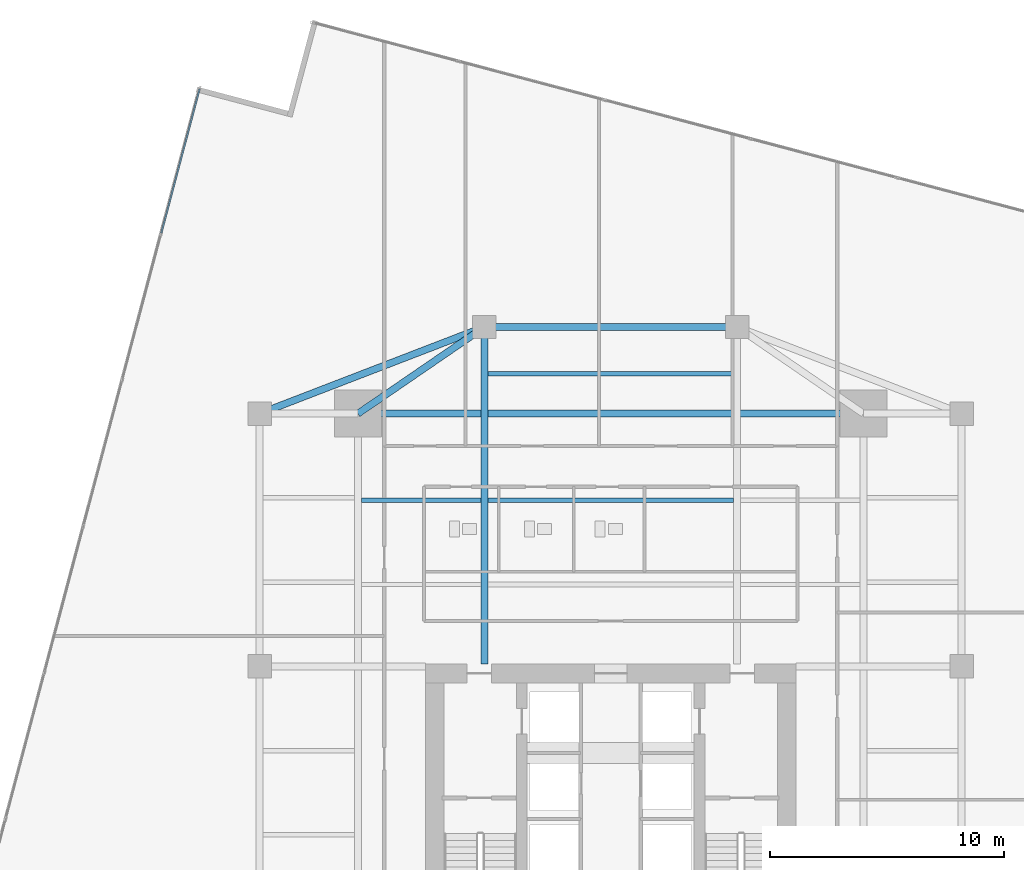
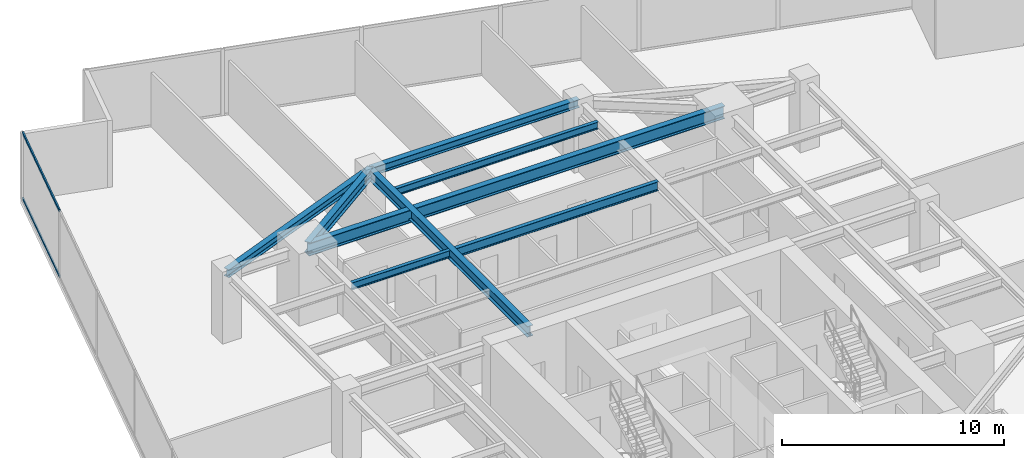
# One storey, part 16 of 27: 8 beams, 2 members, 1 element without a shape of its own.
"""IFC4 building model written with IfcOpenShell, lengths in metres."""

from ifc_helpers import new_model, si_unit, direction, frame, origin, origin_2d, place, context, subcontext, project, spatial, hollow_rectangle, i_section, extrude, source, transform, mapped, material, material_profile, profile_set, type_object, type_shapes, element, aggregate, save


model = new_model("IFC4")

# Units and contexts
model_context = context("Model", 3, precision=1e-05, world=origin(), true_north=direction((0.0, 1.0)))
body_context = subcontext(model_context, "Body", "Model", "MODEL_VIEW")
ifc_project = project(units=[si_unit("LENGTHUNIT", "METRE"), si_unit("AREAUNIT", "SQUARE_METRE"), si_unit("VOLUMEUNIT", "CUBIC_METRE"), si_unit("PLANEANGLEUNIT", "RADIAN"), si_unit("MASSUNIT", "GRAM", prefix="KILO")], contexts=[model_context])

# Site, building, storey
site_placement = place(None, origin())
site = spatial("IfcSite", under=ifc_project, at=site_placement, CompositionType="ELEMENT")
building_placement = place(site_placement, origin())
building = spatial("IfcBuilding", under=site, at=building_placement, Name="Krantzveldt Concourse Tower", CompositionType="ELEMENT")
storey_placement = place(building_placement, frame((0.0, 0.0, 97.949951171875)))
storey = spatial("IfcBuildingStorey", under=building, at=storey_placement, Name="L23", CompositionType="ELEMENT", Elevation=97.949951171875)

# Beams
ifc_material_1 = material(Name="Steel S355J2", Category="steel")
ifc_material_profile_1 = material_profile(ifc_material_1, i_section(OverallWidth=0.300048828125, OverallDepth=0.699951171875, WebThickness=0.01708984375, FlangeThickness=0.031982421875, FilletRadius=0.027099609375, at=origin_2d()), Name="Steel S355J2", Category="steel")
ifc_profile_set_1 = profile_set([ifc_material_profile_1], Name="Steel S355J2 - HEB 700")
beam_type_1 = type_object("IfcBeamType", Name="BM-B-HEB700", PredefinedType="BEAM", material=ifc_profile_set_1)
shared_shape_1 = source(origin(), body_context, "Body", "SweptSolid", [
    extrude(i_section(OverallWidth=0.300048828125, OverallDepth=0.699951171875, WebThickness=0.01708984375, FlangeThickness=0.031982421875, FilletRadius=0.027099609375, at=origin_2d()), origin(), (0.0, 0.0, 1.0), 21.60009765625),
])
type_shapes(beam_type_1, [shared_shape_1])
beam_1_placement = place(storey_placement, frame((25.199951171875, 37.5, 3.320068359375), z_axis=(1.0, 0.0, 0.0), x_axis=(0.0, 1.0, 0.0)))
element("IfcBeam", 1, at=beam_1_placement, inside=storey, type_object=beam_type_1, Name="L23 Tower Girder BG-MN", PredefinedType="BEAM", context=body_context, shape_type="MappedRepresentation", body=[
    mapped(shared_shape_1, transform((0.0, 0.0, 0.0), x_axis=(1.0, 0.0, 0.0), y_axis=(0.0, 1.0, 0.0), z_axis=(0.0, 0.0, 1.0), scale=1.0)),
])
ifc_material_2 = material(Name="Steel S355JR", Category="steel")
ifc_material_profile_2 = material_profile(ifc_material_2, i_section(OverallWidth=0.300048828125, OverallDepth=0.590087890625, WebThickness=0.012939453125, FlangeThickness=0.02490234375, FilletRadius=0.027099609375, at=origin_2d()), Name="Steel S355JR", Category="steel")
ifc_profile_set_2 = profile_set([ifc_material_profile_2], Name="Steel S355JR - HEA 600")
beam_type_2 = type_object("IfcBeamType", Name="BM-B-HEA600", PredefinedType="BEAM", material=ifc_profile_set_2)
shared_shape_2 = source(origin(), body_context, "Body", "SweptSolid", [
    extrude(i_section(OverallWidth=0.300048828125, OverallDepth=0.590087890625, WebThickness=0.012939453125, FlangeThickness=0.02490234375, FilletRadius=0.027099609375, at=origin_2d()), origin(), (0.0, 0.0, 1.0), 14.39990234375),
])
beam_2_placement = place(storey_placement, frame((30.60009765625, 26.800048828125, 3.375), z_axis=(0.0, 1.0, 0.0), x_axis=(-1.0, 0.0, 0.0)))
element("IfcBeam", 2, at=beam_2_placement, inside=storey, type_object=beam_type_2, Name="L23 Tower Girder BG-CNW", PredefinedType="BEAM", context=body_context, shape_type="MappedRepresentation", body=[
    mapped(shared_shape_2, transform((0.0, 0.0, 0.0), x_axis=(1.0, 0.0, 0.0), y_axis=(0.0, 1.0, 0.0), z_axis=(0.0, 0.0, 1.0), scale=1.0)),
])
ifc_material_profile_3 = material_profile(ifc_material_2, i_section(OverallWidth=0.300048828125, OverallDepth=0.43994140625, WebThickness=0.011474609375, FlangeThickness=0.02099609375, FilletRadius=0.027099609375, at=origin_2d()), Name="Steel S355JR", Category="steel")
ifc_profile_set_3 = profile_set([ifc_material_profile_3], Name="Steel S355JR - HEA 450")
beam_type_3 = type_object("IfcBeamType", Name="BM-SP-HEA450", PredefinedType="SPANDREL", material=ifc_profile_set_3)
shared_shape_3 = source(origin(), body_context, "Body", "SweptSolid", [
    extrude(i_section(OverallWidth=0.300048828125, OverallDepth=0.43994140625, WebThickness=0.011474609375, FlangeThickness=0.02099609375, FilletRadius=0.027099609375, at=origin_2d()), origin(), (0.0, 0.0, 1.0), 10.288330078125),
])
beam_3_placement = place(storey_placement, frame((21.0, 37.5, 3.449951171875), z_axis=(0.933097690408, 0.359622997257, 0.0), x_axis=(-0.359622997257, 0.933097690408, 0.0)))
element("IfcBeam", 3, at=beam_3_placement, inside=storey, type_object=beam_type_3, Name="L23 Tower Girder SP-R03", PredefinedType="SPANDREL", context=body_context, shape_type="MappedRepresentation", body=[
    mapped(shared_shape_3, transform((0.0, 0.0, 0.0), x_axis=(1.0, 0.0, 0.0), y_axis=(0.0, 1.0, 0.0), z_axis=(0.0, 0.0, 1.0), scale=1.0)),
])
shared_shape_4 = source(origin(), body_context, "Body", "SweptSolid", [
    extrude(i_section(OverallWidth=0.300048828125, OverallDepth=0.43994140625, WebThickness=0.011474609375, FlangeThickness=0.02099609375, FilletRadius=0.027099609375, at=origin_2d()), origin(), (0.0, 0.0, 1.0), 10.7998046875),
])
type_shapes(beam_type_3, [shared_shape_3, shared_shape_4])
beam_4_placement = place(storey_placement, frame((30.60009765625, 41.199951171875, 3.449951171875), z_axis=(1.0, 0.0, 0.0), x_axis=(0.0, 1.0, 0.0)))
element("IfcBeam", 4, at=beam_4_placement, inside=storey, type_object=beam_type_3, Name="L23 Tower Girder SP-R04", PredefinedType="SPANDREL", context=body_context, shape_type="MappedRepresentation", body=[
    mapped(shared_shape_4, transform((0.0, 0.0, 0.0), x_axis=(1.0, 0.0, 0.0), y_axis=(0.0, 1.0, 0.0), z_axis=(0.0, 0.0, 1.0), scale=1.0)),
])
shared_shape_5 = source(origin(), body_context, "Body", "SweptSolid", [
    extrude(i_section(OverallWidth=0.300048828125, OverallDepth=0.590087890625, WebThickness=0.012939453125, FlangeThickness=0.02490234375, FilletRadius=0.027099609375, at=origin_2d()), origin(), (0.0, 0.0, 1.0), 6.546142578125),
])
type_shapes(beam_type_2, [shared_shape_2, shared_shape_5])
beam_5_placement = place(storey_placement, frame((25.199951171875, 37.5, 3.375), z_axis=(0.824942999484, 0.565215930068, 0.0), x_axis=(-0.565215930068, 0.824942999484, 0.0)))
element("IfcBeam", 5, at=beam_5_placement, inside=storey, type_object=beam_type_2, Name="L23 Tower Girder BR-RL4", PredefinedType="BEAM", context=body_context, shape_type="MappedRepresentation", body=[
    mapped(shared_shape_5, transform((0.0, 0.0, 0.0), x_axis=(1.0, 0.0, 0.0), y_axis=(0.0, 1.0, 0.0), z_axis=(0.0, 0.0, 1.0), scale=1.0)),
])
ifc_material_profile_4 = material_profile(ifc_material_2, i_section(OverallWidth=0.199951171875, OverallDepth=0.5, WebThickness=0.01025390625, FlangeThickness=0.01611328125, FilletRadius=0.02099609375, at=origin_2d()), Name="Steel S355JR", Category="steel")
ifc_profile_set_4 = profile_set([ifc_material_profile_4], Name="Steel S355JR - IPE 500")
beam_type_4 = type_object("IfcBeamType", Name="BM-J-IPE500", PredefinedType="JOIST", material=ifc_profile_set_4)
shared_shape_6 = source(origin(), body_context, "Body", "SweptSolid", [
    extrude(i_section(OverallWidth=0.199951171875, OverallDepth=0.5, WebThickness=0.01025390625, FlangeThickness=0.01611328125, FilletRadius=0.02099609375, at=origin_2d()), origin(), (0.0, 0.0, 1.0), 10.5),
])
type_shapes(beam_type_4, [shared_shape_6])
beam_6_placement = place(storey_placement, frame((30.75, 33.800048828125, 3.420166015625), z_axis=(1.0, 0.0, 0.0), x_axis=(0.0, 1.0, 0.0)))
element("IfcBeam", 6, at=beam_6_placement, inside=storey, type_object=beam_type_4, Name="L23 Secondary Floor Joist JN-C2", PredefinedType="JOIST", context=body_context, shape_type="MappedRepresentation", body=[
    mapped(shared_shape_6, transform((0.0, 0.0, 0.0), x_axis=(1.0, 0.0, 0.0), y_axis=(0.0, 1.0, 0.0), z_axis=(0.0, 0.0, 1.0), scale=1.0)),
])
ifc_material_profile_5 = material_profile(ifc_material_2, i_section(OverallWidth=0.179931640625, OverallDepth=0.39990234375, WebThickness=0.008544921875, FlangeThickness=0.013427734375, FilletRadius=0.02099609375, at=origin_2d()), Name="Steel S355JR", Category="steel")
ifc_profile_set_5 = profile_set([ifc_material_profile_5], Name="Steel S355JR - IPE 400")
beam_type_5 = type_object("IfcBeamType", Name="BM-J-IPE400", PredefinedType="JOIST", material=ifc_profile_set_5)
shared_shape_7 = source(origin(), body_context, "Body", "SweptSolid", [
    extrude(i_section(OverallWidth=0.179931640625, OverallDepth=0.39990234375, WebThickness=0.008544921875, FlangeThickness=0.013427734375, FilletRadius=0.02099609375, at=origin_2d()), origin(), (0.0, 0.0, 1.0), 10.5),
])
beam_7_placement = place(storey_placement, frame((30.75, 39.199951171875, 3.469970703125), z_axis=(1.0, 0.0, 0.0), x_axis=(0.0, 1.0, 0.0)))
element("IfcBeam", 7, at=beam_7_placement, inside=storey, type_object=beam_type_5, Name="L23 Secondary Floor Joist JN-C3", PredefinedType="JOIST", context=body_context, shape_type="MappedRepresentation", body=[
    mapped(shared_shape_7, transform((0.0, 0.0, 0.0), x_axis=(1.0, 0.0, 0.0), y_axis=(0.0, 1.0, 0.0), z_axis=(0.0, 0.0, 1.0), scale=1.0)),
])
shared_shape_8 = source(origin(), body_context, "Body", "SweptSolid", [
    extrude(i_section(OverallWidth=0.179931640625, OverallDepth=0.39990234375, WebThickness=0.008544921875, FlangeThickness=0.013427734375, FilletRadius=0.02099609375, at=origin_2d()), origin(), (0.0, 0.0, 1.0), 5.099853515625),
])
type_shapes(beam_type_5, [shared_shape_7, shared_shape_8])
beam_8_placement = place(storey_placement, frame((25.35009765625, 33.800048828125, 3.469970703125), z_axis=(1.0, 0.0, 0.0), x_axis=(0.0, 1.0, 0.0)))
element("IfcBeam", 8, at=beam_8_placement, inside=storey, type_object=beam_type_5, Name="L23 Secondary Floor Joist JN-W2", PredefinedType="JOIST", context=body_context, shape_type="MappedRepresentation", body=[
    mapped(shared_shape_8, transform((0.0, 0.0, 0.0), x_axis=(1.0, 0.0, 0.0), y_axis=(0.0, 1.0, 0.0), z_axis=(0.0, 0.0, 1.0), scale=1.0)),
])

# Curtain wall, members
ifc_material_3 = material(Name="Anodised aluminium 6063-T6", Category="aluminium")
curtain_wall_type = type_object("IfcCurtainWallType", Name="CW2", PredefinedType="USERDEFINED", material=ifc_material_3)
curtain_wall_placement = place(storey_placement, origin())
curtain_wall = element("IfcCurtainWall", 9, at=curtain_wall_placement, inside=storey, type_object=curtain_wall_type, Name="CW-L23-F01", ObjectType="UNITISED CURTAIN WALL", PredefinedType="USERDEFINED")
ifc_material_profile_6 = material_profile(ifc_material_3, hollow_rectangle(XDim=0.070068359375, YDim=0.139892578125, WallThickness=0.0048828125, at=origin_2d()), Name="Anodised aluminium 6063-T6", Category="aluminium")
ifc_profile_set_6 = profile_set([ifc_material_profile_6], Name="Anodised aluminium 6063-T6 - ALU-TRAN 140x70x5")
member_type = type_object("IfcMemberType", Name="CW-TRN-150", PredefinedType="USERDEFINED", material=ifc_profile_set_6)
shared_shape_9 = source(origin(), body_context, "Body", "SweptSolid", [
    extrude(hollow_rectangle(XDim=0.070068359375, YDim=0.139892578125, WallThickness=0.0048828125, at=origin_2d()), origin(), (0.0, 0.0, 1.0), 6.361572265625),
])
type_shapes(member_type, [shared_shape_9])
member_1_placement = place(storey_placement, frame((18.433349609375, 51.3662109375, 0.03515625), z_axis=(-0.256704687877, -0.966489887801, 0.0), x_axis=(0.966489887801, -0.256704687877, 0.0)))
member_1 = element("IfcMember", 10, at=member_1_placement, type_object=member_type, Name="CW-Z12 transom 1.1", ObjectType="TRANSOM", PredefinedType="USERDEFINED", context=body_context, shape_type="MappedRepresentation", body=[
    mapped(shared_shape_9, transform((0.0, 0.0, 0.0), x_axis=(1.0, 0.0, 0.0), y_axis=(0.0, 1.0, 0.0), z_axis=(0.0, 0.0, 1.0), scale=1.0)),
])
member_2_placement = place(storey_placement, frame((18.433349609375, 51.3662109375, 3.635009765625), z_axis=(-0.256704687877, -0.966489887801, 0.0), x_axis=(0.966489887801, -0.256704687877, 0.0)))
member_2 = element("IfcMember", 11, at=member_2_placement, type_object=member_type, Name="CW-Z12 transom 1.2", ObjectType="TRANSOM", PredefinedType="USERDEFINED", context=body_context, shape_type="MappedRepresentation", body=[
    mapped(shared_shape_9, transform((0.0, 0.0, 0.0), x_axis=(1.0, 0.0, 0.0), y_axis=(0.0, 1.0, 0.0), z_axis=(0.0, 0.0, 1.0), scale=1.0)),
])
aggregate(curtain_wall, [member_1, member_2])

save(model, "model.ifc")
